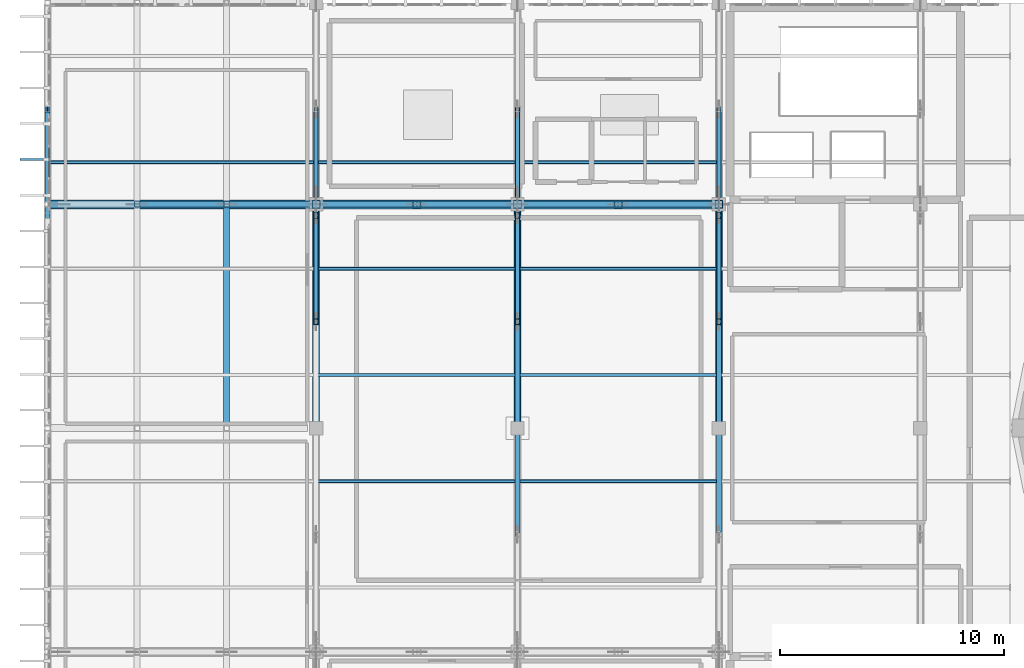
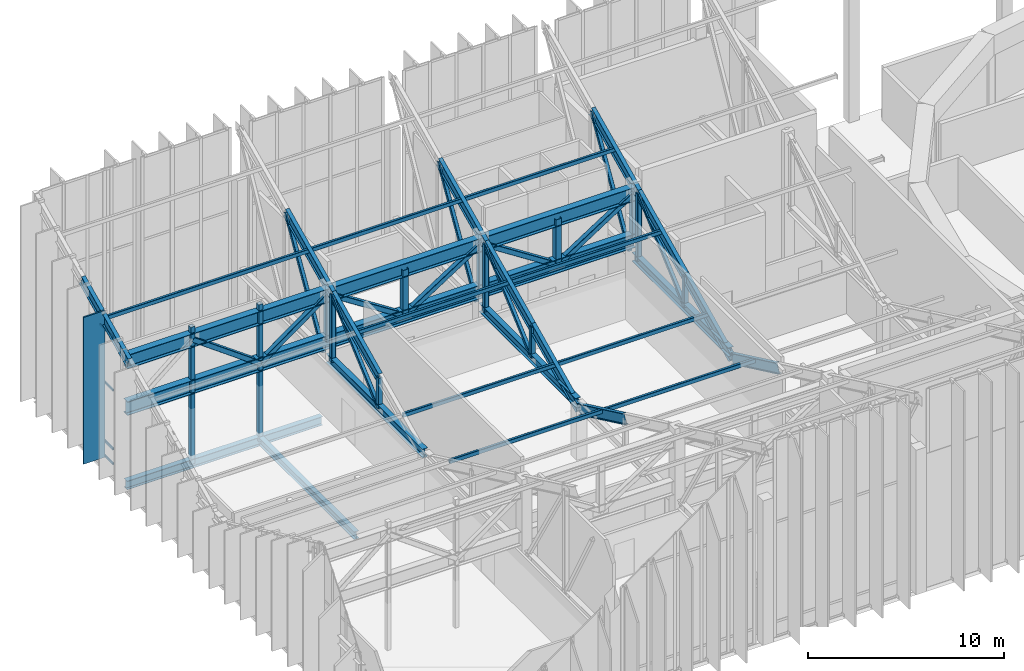
# One storey, part 22 of 68: 39 members, 18 beams, 1 element without a shape of its own.
"""IFC4 building model written with IfcOpenShell, lengths in metres."""

from ifc_helpers import new_model, si_unit, direction, frame, origin, origin_2d, place, context, subcontext, project, spatial, rectangle, hollow_rectangle, i_section, extrude, material, material_profile, profile_set, type_object, element, aggregate, save


model = new_model("IFC4")

# Units and contexts
model_context = context("Model", 3, precision=1e-05, world=origin(), true_north=direction((0.0, 1.0)))
body_context = subcontext(model_context, "Body", "Model", "MODEL_VIEW")
ifc_project = project(units=[si_unit("LENGTHUNIT", "METRE"), si_unit("AREAUNIT", "SQUARE_METRE"), si_unit("VOLUMEUNIT", "CUBIC_METRE"), si_unit("PLANEANGLEUNIT", "RADIAN"), si_unit("MASSUNIT", "GRAM", prefix="KILO")], contexts=[model_context])

# Site, building, storey
site_placement = place(None, origin())
site = spatial("IfcSite", under=ifc_project, at=site_placement, CompositionType="ELEMENT")
building_placement = place(site_placement, origin())
building = spatial("IfcBuilding", under=site, at=building_placement, Name="Miravela Opera House", CompositionType="ELEMENT")
storey_placement = place(building_placement, frame((0.0, 0.0, 21.760009765625)))
storey = spatial("IfcBuildingStorey", under=building, at=storey_placement, Name="L05", CompositionType="ELEMENT", Elevation=21.760009765625)

# Curtain wall, members
ifc_material_1 = material(Name="Anodised architectural bronze aluminium 6063-T6", Category="aluminium")
curtain_wall_type = type_object("IfcCurtainWallType", Name="ARC-CW-03", PredefinedType="NOTDEFINED", material=ifc_material_1)
curtain_wall_placement = place(storey_placement, origin())
curtain_wall = element("IfcCurtainWall", 1, at=curtain_wall_placement, inside=storey, type_object=curtain_wall_type, Name="Cantilever West Wrapper Glazing B7 CW-L05-053", PredefinedType="NOTDEFINED")
ifc_material_profile_1 = material_profile(ifc_material_1, hollow_rectangle(XDim=0.06494140625, YDim=0.139892578125, WallThickness=0.00390625, InnerFilletRadius=0.001953125, OuterFilletRadius=0.00390625, at=origin_2d()), Name="CWT-65X140")
ifc_profile_set_1 = profile_set([ifc_material_profile_1])
member_type_1 = type_object("IfcMemberType", Name="ARC-CWT-140", PredefinedType="USERDEFINED", material=ifc_profile_set_1)
member_1_placement = place(storey_placement, frame((15.080078125, 67.209228515625, 0.032470703125), z_axis=(0.0, 1.0, 0.0), x_axis=(-1.0, 0.0, 0.0)))
member_1 = element("IfcMember", 2, at=member_1_placement, type_object=member_type_1, Name="CW-03 transom 2.1", ObjectType="TRANSOM", PredefinedType="USERDEFINED", context=body_context, shape_type="SweptSolid", body=[
    extrude(hollow_rectangle(XDim=0.06494140625, YDim=0.139892578125, WallThickness=0.00390625, InnerFilletRadius=0.001953125, OuterFilletRadius=0.00390625, at=origin_2d()), origin(), (0.0, 0.0, 1.0), 1.33154296875),
])
member_2_placement = place(storey_placement, frame((15.080078125, 67.209228515625, 0.949951171875), z_axis=(0.0, 1.0, 0.0), x_axis=(-1.0, 0.0, 0.0)))
member_2 = element("IfcMember", 3, at=member_2_placement, type_object=member_type_1, Name="CW-03 transom 2.2", ObjectType="TRANSOM", PredefinedType="USERDEFINED", context=body_context, shape_type="SweptSolid", body=[
    extrude(hollow_rectangle(XDim=0.06494140625, YDim=0.139892578125, WallThickness=0.00390625, InnerFilletRadius=0.001953125, OuterFilletRadius=0.00390625, at=origin_2d()), origin(), (0.0, 0.0, 1.0), 1.33154296875),
])
member_3_placement = place(storey_placement, frame((15.080078125, 67.209228515625, 4.606689453125), z_axis=(0.0, 1.0, 0.0), x_axis=(-1.0, 0.0, 0.0)))
member_3 = element("IfcMember", 4, at=member_3_placement, type_object=member_type_1, Name="CW-03 transom 2.3", ObjectType="TRANSOM", PredefinedType="USERDEFINED", context=body_context, shape_type="SweptSolid", body=[
    extrude(hollow_rectangle(XDim=0.06494140625, YDim=0.139892578125, WallThickness=0.00390625, InnerFilletRadius=0.001953125, OuterFilletRadius=0.00390625, at=origin_2d()), origin(), (0.0, 0.0, 1.0), 1.33154296875),
])
member_4_placement = place(storey_placement, frame((15.080078125, 67.209228515625, 7.91015625), z_axis=(0.0, 1.0, 0.0), x_axis=(-1.0, 0.0, 0.0)))
member_4 = element("IfcMember", 5, at=member_4_placement, type_object=member_type_1, Name="CW-03 transom 2.4", ObjectType="TRANSOM", PredefinedType="USERDEFINED", context=body_context, shape_type="SweptSolid", body=[
    extrude(hollow_rectangle(XDim=0.06494140625, YDim=0.139892578125, WallThickness=0.00390625, InnerFilletRadius=0.001953125, OuterFilletRadius=0.00390625, at=origin_2d()), origin(), (0.0, 0.0, 1.0), 1.33154296875),
])
aggregate(curtain_wall, [member_1, member_2, member_3, member_4])

# Member
ifc_material_profile_2 = material_profile(ifc_material_1, rectangle(XDim=0.090087890625, YDim=1.25, at=origin_2d()), Name="FIN-1250X90")
ifc_profile_set_2 = profile_set([ifc_material_profile_2])
member_type_2 = type_object("IfcMemberType", Name="ARC-FIN-1250", PredefinedType="USERDEFINED", material=ifc_profile_set_2)
member_5_placement = place(storey_placement, frame((14.39501953125, 68.0, 0.0), z_axis=(0.0, 0.0, 1.0), x_axis=(0.0, 1.0, 0.0)))
element("IfcMember", 6, at=member_5_placement, inside=storey, type_object=member_type_2, Name="Auditorium Wrapper Bronze Solar Fin FIN-L05-WEST-0160", ObjectType="FIN", PredefinedType="USERDEFINED", context=body_context, shape_type="SweptSolid", body=[
    extrude(rectangle(XDim=0.090087890625, YDim=1.25, at=origin_2d()), origin(), (0.0, 0.0, 1.0), 9.13427734375),
])

# Beams
ifc_material_2 = material(Name="Structural steel ASTM A992 Gr. 50", Category="steel")
ifc_material_profile_3 = material_profile(ifc_material_2, i_section(OverallWidth=0.280029296875, OverallDepth=0.462890625, WebThickness=0.0107421875, FlangeThickness=0.017333984375, FilletRadius=0.014892578125, at=origin_2d()), Name="W460X113")
ifc_profile_set_3 = profile_set([ifc_material_profile_3])
beam_type_1 = type_object("IfcBeamType", Name="STR-BM-W460X113", PredefinedType="BEAM", material=ifc_profile_set_3)
beam_1_placement = place(storey_placement, frame((23.0, 56.14111328125, -0.471435546875), z_axis=(0.0, 1.0, 0.0), x_axis=(-1.0, 0.0, 0.0)))
element("IfcBeam", 7, at=beam_1_placement, inside=storey, type_object=beam_type_1, Name="Cantilever Overhang Beam L05 X=23", PredefinedType="BEAM", context=body_context, shape_type="SweptSolid", body=[
    extrude(i_section(OverallWidth=0.280029296875, OverallDepth=0.462890625, WebThickness=0.0107421875, FlangeThickness=0.017333984375, FilletRadius=0.014892578125, at=origin_2d()), origin(), (0.0, 0.0, 1.0), 9.7177734375),
])
ifc_material_profile_4 = material_profile(ifc_material_2, i_section(OverallWidth=0.31201171875, OverallDepth=0.54296875, WebThickness=0.0126953125, FlangeThickness=0.020263671875, FilletRadius=0.01611328125, at=origin_2d()), Name="W530X150")
ifc_profile_set_4 = profile_set([ifc_material_profile_4])
beam_type_2 = type_object("IfcBeamType", Name="STR-BM-W530X150", PredefinedType="BEAM", material=ifc_profile_set_4)
beam_2_placement = place(storey_placement, frame((15.110107421875, 66.0, -0.511474609375), z_axis=(1.0, 0.0, 0.0), x_axis=(0.0, 1.0, 0.0)))
element("IfcBeam", 8, at=beam_2_placement, inside=storey, type_object=beam_type_2, Name="Cantilever Chord L05 T4", PredefinedType="BEAM", context=body_context, shape_type="SweptSolid", body=[
    extrude(i_section(OverallWidth=0.31201171875, OverallDepth=0.54296875, WebThickness=0.0126953125, FlangeThickness=0.020263671875, FilletRadius=0.01611328125, at=origin_2d()), origin(), (0.0, 0.0, 1.0), 11.510009765625),
])
for number, where, z_axis, x_axis, name in (
    (9, (27.0, 56.080078125, 3.280029296875), (0.0, 1.0, 0.0), (-1.0, 0.0, 0.0), "V-Crest Roof Truss Bottom Tie Chord X=27 Seg 3"),
    (10, (36.0, 56.080078125, 3.280029296875), (0.0, 1.0, 0.0), (-1.0, 0.0, 0.0), "V-Crest Roof Truss Bottom Tie Chord X=36 Seg 3"),
    (11, (45.0, 56.080078125, 3.280029296875), (0.0, 1.0, 0.0), (-1.0, 0.0, 0.0), "V-Crest Roof Truss Bottom Tie Chord X=45 Seg 3"),
):
    element("IfcBeam", number, at=place(storey_placement, frame(where, z_axis=z_axis, x_axis=x_axis)), inside=storey, type_object=beam_type_2, Name=name, PredefinedType="BEAM", context=body_context, shape_type="SweptSolid", body=[
        extrude(i_section(OverallWidth=0.31201171875, OverallDepth=0.54296875, WebThickness=0.0126953125, FlangeThickness=0.020263671875, FilletRadius=0.01611328125, at=origin_2d()), origin(), (0.0, 0.0, 1.0), 9.83984375),
    ])
ifc_material_profile_5 = material_profile(ifc_material_2, i_section(OverallWidth=0.22998046875, OverallDepth=0.616943359375, WebThickness=0.01318359375, FlangeThickness=0.022216796875, FilletRadius=0.01806640625, at=origin_2d()), Name="W610X140")
ifc_profile_set_5 = profile_set([ifc_material_profile_5])
beam_type_3 = type_object("IfcBeamType", Name="STR-BM-W610X140", PredefinedType="BEAM", material=ifc_profile_set_5)
for number, where, z_axis, x_axis, name in (
    (12, (15.0, 65.5, 7.439453125), (0.0, 0.903737838894, 0.428086344739), (-1.0, 0.0, 0.0), "V-Crest Roof Rafter Girder X=15 Seg 7"),
    (13, (27.0, 60.75, 5.189453125), (0.0, 0.903737838894, 0.428086344739), (-1.0, 0.0, 0.0), "V-Crest Roof Rafter Girder X=27 Seg 6"),
    (14, (27.0, 65.5, 7.439453125), (0.0, 0.903737838894, 0.428086344739), (-1.0, 0.0, 0.0), "V-Crest Roof Rafter Girder X=27 Seg 7"),
    (15, (36.0, 51.25, 5.189453125), (0.0, 0.903737838894, -0.428086344739), (-1.0, 0.0, 0.0), "V-Crest Roof Rafter Girder X=36 Seg 4"),
    (16, (36.0, 56.0, 2.939453125), (0.0, 0.903737838894, 0.428086344739), (-1.0, 0.0, 0.0), "V-Crest Roof Rafter Girder X=36 Seg 5"),
    (17, (36.0, 60.75, 5.189453125), (0.0, 0.903737838894, 0.428086344739), (-1.0, 0.0, 0.0), "V-Crest Roof Rafter Girder X=36 Seg 6"),
    (18, (36.0, 65.5, 7.439453125), (0.0, 0.903737838894, 0.428086344739), (-1.0, 0.0, 0.0), "V-Crest Roof Rafter Girder X=36 Seg 7"),
    (19, (45.0, 51.25, 5.189453125), (0.0, 0.903737838894, -0.428086344739), (-1.0, 0.0, 0.0), "V-Crest Roof Rafter Girder X=45 Seg 4"),
    (20, (45.0, 56.0, 2.939453125), (0.0, 0.903737838894, 0.428086344739), (-1.0, 0.0, 0.0), "V-Crest Roof Rafter Girder X=45 Seg 5"),
    (21, (45.0, 60.75, 5.189453125), (0.0, 0.903737838894, 0.428086344739), (-1.0, 0.0, 0.0), "V-Crest Roof Rafter Girder X=45 Seg 6"),
    (22, (45.0, 65.5, 7.439453125), (0.0, 0.903737838894, 0.428086344739), (-1.0, 0.0, 0.0), "V-Crest Roof Rafter Girder X=45 Seg 7"),
):
    element("IfcBeam", number, at=place(storey_placement, frame(where, z_axis=z_axis, x_axis=x_axis)), inside=storey, type_object=beam_type_3, Name=name, PredefinedType="BEAM", context=body_context, shape_type="SweptSolid", body=[
        extrude(i_section(OverallWidth=0.22998046875, OverallDepth=0.616943359375, WebThickness=0.01318359375, FlangeThickness=0.022216796875, FilletRadius=0.01806640625, at=origin_2d()), origin(), (0.0, 0.0, 1.0), 5.255859375),
    ])
ifc_material_profile_6 = material_profile(ifc_material_2, i_section(OverallWidth=0.39990234375, OverallDepth=0.85498046875, WebThickness=0.018310546875, FlangeThickness=0.029296875, FilletRadius=0.02392578125, at=origin_2d()), Name="W840X299")
ifc_profile_set_6 = profile_set([ifc_material_profile_6])
beam_type_4 = type_object("IfcBeamType", Name="STR-BM-W840X299", PredefinedType="BEAM", material=ifc_profile_set_6)
for number, where, z_axis, x_axis, name in (
    (23, (45.0, 66.0, 4.2900390625), (-1.0, 0.0, 0.0), (0.0, -1.0, 0.0), "Cantilever Truss CT-04 Attic Bottom Chord"),
    (24, (45.0, 66.0, 7.18994140625), (-1.0, 0.0, 0.0), (0.0, -1.0, 0.0), "Cantilever Truss CT-04 Attic Top Chord"),
):
    element("IfcBeam", number, at=place(storey_placement, frame(where, z_axis=z_axis, x_axis=x_axis)), inside=storey, type_object=beam_type_4, Name=name, PredefinedType="BEAM", context=body_context, shape_type="SweptSolid", body=[
        extrude(i_section(OverallWidth=0.39990234375, OverallDepth=0.85498046875, WebThickness=0.018310546875, FlangeThickness=0.029296875, FilletRadius=0.02392578125, at=origin_2d()), origin(), (0.0, 0.0, 1.0), 29.889892578125),
    ])

# Members
ifc_material_3 = material(Name="Hollow structural steel ASTM A500 Gr. C", Category="steel")
ifc_material_profile_7 = material_profile(ifc_material_3, hollow_rectangle(XDim=0.300048828125, YDim=0.300048828125, WallThickness=0.01611328125, InnerFilletRadius=0.01611328125, OuterFilletRadius=0.031982421875, at=origin_2d()), Name="HSS300X300X16")
ifc_profile_set_7 = profile_set([ifc_material_profile_7])
member_type_3 = type_object("IfcMemberType", Name="STR-MEM-CANT-DIAG", PredefinedType="BRACE", material=ifc_profile_set_7)
for number, where, z_axis, x_axis, name in (
    (25, (19.0, 66.0, 7.18994140625), (0.809619836444, 0.0, -0.586954615312), (0.0, 1.0, 0.0), "Cantilever Truss CT-04 Attic Web Diagonal 2"),
    (26, (23.0, 66.0, 4.2900390625), (0.809619836444, 0.0, 0.586954615312), (0.0, 1.0, 0.0), "Cantilever Truss CT-04 Attic Web Diagonal 3"),
):
    element("IfcMember", number, at=place(storey_placement, frame(where, z_axis=z_axis, x_axis=x_axis)), inside=storey, type_object=member_type_3, Name=name, PredefinedType="BRACE", context=body_context, shape_type="SweptSolid", body=[
        extrude(hollow_rectangle(XDim=0.300048828125, YDim=0.300048828125, WallThickness=0.01611328125, InnerFilletRadius=0.01611328125, OuterFilletRadius=0.031982421875, at=origin_2d()), origin(), (0.0, 0.0, 1.0), 4.940673828125),
    ])
for number, where, z_axis, x_axis, name in (
    (27, (27.0, 66.0, 7.18994140625), (0.84057934116, 0.0, -0.541688444786), (0.0, 1.0, 0.0), "Cantilever Truss CT-04 Attic Web Diagonal 4"),
    (28, (31.5, 66.0, 4.2900390625), (0.84057934116, 0.0, 0.541688444786), (0.0, 1.0, 0.0), "Cantilever Truss CT-04 Attic Web Diagonal 5"),
    (29, (36.0, 66.0, 7.18994140625), (0.84057934116, 0.0, -0.541688444786), (0.0, 1.0, 0.0), "Cantilever Truss CT-04 Attic Web Diagonal 6"),
    (30, (40.5, 66.0, 4.2900390625), (0.84057934116, 0.0, 0.541688444786), (0.0, 1.0, 0.0), "Cantilever Truss CT-04 Attic Web Diagonal 7"),
):
    element("IfcMember", number, at=place(storey_placement, frame(where, z_axis=z_axis, x_axis=x_axis)), inside=storey, type_object=member_type_3, Name=name, PredefinedType="BRACE", context=body_context, shape_type="SweptSolid", body=[
        extrude(hollow_rectangle(XDim=0.300048828125, YDim=0.300048828125, WallThickness=0.01611328125, InnerFilletRadius=0.01611328125, OuterFilletRadius=0.031982421875, at=origin_2d()), origin(), (0.0, 0.0, 1.0), 5.353515625),
    ])
ifc_material_profile_8 = material_profile(ifc_material_3, hollow_rectangle(XDim=0.35009765625, YDim=0.35009765625, WallThickness=0.01611328125, InnerFilletRadius=0.01611328125, OuterFilletRadius=0.031982421875, at=origin_2d()), Name="HSS350X350X16")
ifc_profile_set_8 = profile_set([ifc_material_profile_8])
member_type_4 = type_object("IfcMemberType", Name="STR-MEM-CANT-POST", PredefinedType="POST", material=ifc_profile_set_8)
for number, where, z_axis, x_axis, name in (
    (31, (27.0, 66.0, 4.2900390625), (0.0, 0.0, 1.0), (1.0, 0.0, 0.0), "Cantilever Truss CT-04 Attic Post X=27.0"),
    (32, (31.5, 66.0, 4.2900390625), (0.0, 0.0, 1.0), (1.0, 0.0, 0.0), "Cantilever Truss CT-04 Attic Post X=31.5"),
    (33, (36.0, 66.0, 4.2900390625), (0.0, 0.0, 1.0), (1.0, 0.0, 0.0), "Cantilever Truss CT-04 Attic Post X=36.0"),
    (34, (40.5, 66.0, 4.2900390625), (0.0, 0.0, 1.0), (1.0, 0.0, 0.0), "Cantilever Truss CT-04 Attic Post X=40.5"),
    (35, (45.0, 66.0, 4.2900390625), (0.0, 0.0, 1.0), (1.0, 0.0, 0.0), "Cantilever Truss CT-04 Attic Post X=45.0"),
):
    element("IfcMember", number, at=place(storey_placement, frame(where, z_axis=z_axis, x_axis=x_axis)), inside=storey, type_object=member_type_4, Name=name, PredefinedType="POST", context=body_context, shape_type="SweptSolid", body=[
        extrude(hollow_rectangle(XDim=0.35009765625, YDim=0.35009765625, WallThickness=0.01611328125, InnerFilletRadius=0.01611328125, OuterFilletRadius=0.031982421875, at=origin_2d()), origin(), (0.0, 0.0, 1.0), 2.89990234375),
    ])
ifc_material_profile_9 = material_profile(ifc_material_3, hollow_rectangle(XDim=0.25, YDim=0.25, WallThickness=0.011962890625, InnerFilletRadius=0.011962890625, OuterFilletRadius=0.02392578125, at=origin_2d()), Name="HSS250X250X12")
ifc_profile_set_9 = profile_set([ifc_material_profile_9])
member_type_5 = type_object("IfcMemberType", Name="STR-MEM-CANT-POST2", PredefinedType="POST", material=ifc_profile_set_9)
for number, where, z_axis, x_axis, name in (
    (36, (19.0, 66.0, -0.5400390625), (0.0, 0.0, 1.0), (1.0, 0.0, 0.0), "Upper Wrapper Truss Post L05 X=19.0"),
    (37, (23.0, 66.0, -0.5400390625), (0.0, 0.0, 1.0), (1.0, 0.0, 0.0), "Upper Wrapper Truss Post L05 X=23.0"),
):
    element("IfcMember", number, at=place(storey_placement, frame(where, z_axis=z_axis, x_axis=x_axis)), inside=storey, type_object=member_type_5, Name=name, PredefinedType="POST", context=body_context, shape_type="SweptSolid", body=[
        extrude(hollow_rectangle(XDim=0.25, YDim=0.25, WallThickness=0.011962890625, InnerFilletRadius=0.011962890625, OuterFilletRadius=0.02392578125, at=origin_2d()), origin(), (0.0, 0.0, 1.0), 8.52685546875),
    ])
member_6_placement = place(storey_placement, frame((27.0, 60.75, 3.280029296875), z_axis=(0.0, 0.0, 1.0), x_axis=(1.0, 0.0, 0.0)))
element("IfcMember", 38, at=member_6_placement, inside=storey, type_object=member_type_5, Name="V-Crest Roof Truss Panel Post X=27 Node 5", PredefinedType="POST", context=body_context, shape_type="SweptSolid", body=[
    extrude(hollow_rectangle(XDim=0.25, YDim=0.25, WallThickness=0.011962890625, InnerFilletRadius=0.011962890625, OuterFilletRadius=0.02392578125, at=origin_2d()), origin(), (0.0, 0.0, 1.0), 1.909912109375),
])
member_7_placement = place(storey_placement, frame((27.0, 65.5, 3.280029296875), z_axis=(0.0, 0.0, 1.0), x_axis=(1.0, 0.0, 0.0)))
element("IfcMember", 39, at=member_7_placement, inside=storey, type_object=member_type_5, Name="V-Crest Roof Truss Panel Post X=27 Node 6", PredefinedType="POST", context=body_context, shape_type="SweptSolid", body=[
    extrude(hollow_rectangle(XDim=0.25, YDim=0.25, WallThickness=0.011962890625, InnerFilletRadius=0.011962890625, OuterFilletRadius=0.02392578125, at=origin_2d()), origin(), (0.0, 0.0, 1.0), 4.159912109375),
])
member_8_placement = place(storey_placement, frame((36.0, 60.75, 3.280029296875), z_axis=(0.0, 0.0, 1.0), x_axis=(1.0, 0.0, 0.0)))
element("IfcMember", 40, at=member_8_placement, inside=storey, type_object=member_type_5, Name="V-Crest Roof Truss Panel Post X=36 Node 5", PredefinedType="POST", context=body_context, shape_type="SweptSolid", body=[
    extrude(hollow_rectangle(XDim=0.25, YDim=0.25, WallThickness=0.011962890625, InnerFilletRadius=0.011962890625, OuterFilletRadius=0.02392578125, at=origin_2d()), origin(), (0.0, 0.0, 1.0), 1.909912109375),
])
member_9_placement = place(storey_placement, frame((36.0, 65.5, 3.280029296875), z_axis=(0.0, 0.0, 1.0), x_axis=(1.0, 0.0, 0.0)))
element("IfcMember", 41, at=member_9_placement, inside=storey, type_object=member_type_5, Name="V-Crest Roof Truss Panel Post X=36 Node 6", PredefinedType="POST", context=body_context, shape_type="SweptSolid", body=[
    extrude(hollow_rectangle(XDim=0.25, YDim=0.25, WallThickness=0.011962890625, InnerFilletRadius=0.011962890625, OuterFilletRadius=0.02392578125, at=origin_2d()), origin(), (0.0, 0.0, 1.0), 4.159912109375),
])
member_10_placement = place(storey_placement, frame((45.0, 60.75, 3.280029296875), z_axis=(0.0, 0.0, 1.0), x_axis=(1.0, 0.0, 0.0)))
element("IfcMember", 42, at=member_10_placement, inside=storey, type_object=member_type_5, Name="V-Crest Roof Truss Panel Post X=45 Node 5", PredefinedType="POST", context=body_context, shape_type="SweptSolid", body=[
    extrude(hollow_rectangle(XDim=0.25, YDim=0.25, WallThickness=0.011962890625, InnerFilletRadius=0.011962890625, OuterFilletRadius=0.02392578125, at=origin_2d()), origin(), (0.0, 0.0, 1.0), 1.909912109375),
])
member_11_placement = place(storey_placement, frame((45.0, 65.5, 3.280029296875), z_axis=(0.0, 0.0, 1.0), x_axis=(1.0, 0.0, 0.0)))
element("IfcMember", 43, at=member_11_placement, inside=storey, type_object=member_type_5, Name="V-Crest Roof Truss Panel Post X=45 Node 6", PredefinedType="POST", context=body_context, shape_type="SweptSolid", body=[
    extrude(hollow_rectangle(XDim=0.25, YDim=0.25, WallThickness=0.011962890625, InnerFilletRadius=0.011962890625, OuterFilletRadius=0.02392578125, at=origin_2d()), origin(), (0.0, 0.0, 1.0), 4.159912109375),
])
ifc_material_profile_10 = material_profile(ifc_material_3, hollow_rectangle(XDim=0.14990234375, YDim=0.25, WallThickness=0.011962890625, InnerFilletRadius=0.011962890625, OuterFilletRadius=0.02392578125, at=origin_2d()), Name="HSS250X150X12")
ifc_profile_set_10 = profile_set([ifc_material_profile_10])
member_type_6 = type_object("IfcMemberType", Name="STR-MEM-PURLIN-1", PredefinedType="PURLIN", material=ifc_profile_set_10)
for number, where, z_axis, x_axis, name in (
    (44, (27.010009765625, 53.625, 4.244873046875), (1.0, 0.0, 0.0), (0.0, 1.0, 0.0), "V-Roof Steel Purlin B4.2"),
    (45, (36.010009765625, 53.625, 4.244873046875), (1.0, 0.0, 0.0), (0.0, 1.0, 0.0), "V-Roof Steel Purlin B4.3"),
    (46, (27.010009765625, 58.375, 4.244873046875), (1.0, 0.0, 0.0), (0.0, 1.0, 0.0), "V-Roof Steel Purlin B5.2"),
    (47, (36.010009765625, 58.375, 4.244873046875), (1.0, 0.0, 0.0), (0.0, 1.0, 0.0), "V-Roof Steel Purlin B5.3"),
    (48, (27.010009765625, 63.125, 6.494873046875), (1.0, 0.0, 0.0), (0.0, 1.0, 0.0), "V-Roof Steel Purlin B6.2"),
    (49, (36.010009765625, 63.125, 6.494873046875), (1.0, 0.0, 0.0), (0.0, 1.0, 0.0), "V-Roof Steel Purlin B6.3"),
):
    element("IfcMember", number, at=place(storey_placement, frame(where, z_axis=z_axis, x_axis=x_axis)), inside=storey, type_object=member_type_6, Name=name, PredefinedType="PURLIN", context=body_context, shape_type="SweptSolid", body=[
        extrude(hollow_rectangle(XDim=0.14990234375, YDim=0.25, WallThickness=0.011962890625, InnerFilletRadius=0.011962890625, OuterFilletRadius=0.02392578125, at=origin_2d()), origin(), (0.0, 0.0, 1.0), 8.97998046875),
    ])
member_12_placement = place(storey_placement, frame((15.010009765625, 67.875, 8.744873046875), z_axis=(1.0, 0.0, 0.0), x_axis=(0.0, 1.0, 0.0)))
element("IfcMember", 50, at=member_12_placement, inside=storey, type_object=member_type_6, Name="V-Roof Steel Purlin B7.1", PredefinedType="PURLIN", context=body_context, shape_type="SweptSolid", body=[
    extrude(hollow_rectangle(XDim=0.14990234375, YDim=0.25, WallThickness=0.011962890625, InnerFilletRadius=0.011962890625, OuterFilletRadius=0.02392578125, at=origin_2d()), origin(), (0.0, 0.0, 1.0), 11.97998046875),
])
for number, where, z_axis, x_axis, name in (
    (51, (27.010009765625, 67.875, 8.744873046875), (1.0, 0.0, 0.0), (0.0, 1.0, 0.0), "V-Roof Steel Purlin B7.2"),
    (52, (36.010009765625, 67.875, 8.744873046875), (1.0, 0.0, 0.0), (0.0, 1.0, 0.0), "V-Roof Steel Purlin B7.3"),
):
    element("IfcMember", number, at=place(storey_placement, frame(where, z_axis=z_axis, x_axis=x_axis)), inside=storey, type_object=member_type_6, Name=name, PredefinedType="PURLIN", context=body_context, shape_type="SweptSolid", body=[
        extrude(hollow_rectangle(XDim=0.14990234375, YDim=0.25, WallThickness=0.011962890625, InnerFilletRadius=0.011962890625, OuterFilletRadius=0.02392578125, at=origin_2d()), origin(), (0.0, 0.0, 1.0), 8.97998046875),
    ])
ifc_material_profile_11 = material_profile(ifc_material_3, hollow_rectangle(XDim=0.199951171875, YDim=0.199951171875, WallThickness=0.010009765625, InnerFilletRadius=0.010009765625, OuterFilletRadius=0.02001953125, at=origin_2d()), Name="HSS200X200X10")
ifc_profile_set_11 = profile_set([ifc_material_profile_11])
member_type_7 = type_object("IfcMemberType", Name="STR-MEM-WEDGE-WEB", PredefinedType="BRACE", material=ifc_profile_set_11)
member_13_placement = place(storey_placement, frame((27.0, 60.75, 3.280029296875), z_axis=(0.0, 0.752289193007, 0.658833036577), x_axis=(-1.0, 0.0, 0.0)))
element("IfcMember", 53, at=member_13_placement, inside=storey, type_object=member_type_7, Name="V-Crest Roof Truss Web Diagonal X=27 Bay 6", PredefinedType="BRACE", context=body_context, shape_type="SweptSolid", body=[
    extrude(hollow_rectangle(XDim=0.199951171875, YDim=0.199951171875, WallThickness=0.010009765625, InnerFilletRadius=0.010009765625, OuterFilletRadius=0.02001953125, at=origin_2d()), origin(), (0.0, 0.0, 1.0), 6.31396484375),
])
member_14_placement = place(storey_placement, frame((27.0, 66.39990234375, 3.280029296875), z_axis=(0.0, 0.514903832718, 0.857247947243), x_axis=(-1.0, 0.0, 0.0)))
element("IfcMember", 54, at=member_14_placement, inside=storey, type_object=member_type_7, Name="V-Crest Roof Truss Web Diagonal X=27 Bay 7", PredefinedType="BRACE", context=body_context, shape_type="SweptSolid", body=[
    extrude(hollow_rectangle(XDim=0.199951171875, YDim=0.199951171875, WallThickness=0.010009765625, InnerFilletRadius=0.010009765625, OuterFilletRadius=0.02001953125, at=origin_2d()), origin(), (0.0, 0.0, 1.0), 7.477294921875),
])
member_15_placement = place(storey_placement, frame((36.0, 60.75, 3.280029296875), z_axis=(0.0, 0.752289193007, 0.658833036577), x_axis=(-1.0, 0.0, 0.0)))
element("IfcMember", 55, at=member_15_placement, inside=storey, type_object=member_type_7, Name="V-Crest Roof Truss Web Diagonal X=36 Bay 6", PredefinedType="BRACE", context=body_context, shape_type="SweptSolid", body=[
    extrude(hollow_rectangle(XDim=0.199951171875, YDim=0.199951171875, WallThickness=0.010009765625, InnerFilletRadius=0.010009765625, OuterFilletRadius=0.02001953125, at=origin_2d()), origin(), (0.0, 0.0, 1.0), 6.31396484375),
])
member_16_placement = place(storey_placement, frame((36.0, 66.39990234375, 3.280029296875), z_axis=(0.0, 0.514903832718, 0.857247947243), x_axis=(-1.0, 0.0, 0.0)))
element("IfcMember", 56, at=member_16_placement, inside=storey, type_object=member_type_7, Name="V-Crest Roof Truss Web Diagonal X=36 Bay 7", PredefinedType="BRACE", context=body_context, shape_type="SweptSolid", body=[
    extrude(hollow_rectangle(XDim=0.199951171875, YDim=0.199951171875, WallThickness=0.010009765625, InnerFilletRadius=0.010009765625, OuterFilletRadius=0.02001953125, at=origin_2d()), origin(), (0.0, 0.0, 1.0), 7.477294921875),
])
member_17_placement = place(storey_placement, frame((45.0, 60.75, 3.280029296875), z_axis=(0.0, 0.752289193007, 0.658833036577), x_axis=(-1.0, 0.0, 0.0)))
element("IfcMember", 57, at=member_17_placement, inside=storey, type_object=member_type_7, Name="V-Crest Roof Truss Web Diagonal X=45 Bay 6", PredefinedType="BRACE", context=body_context, shape_type="SweptSolid", body=[
    extrude(hollow_rectangle(XDim=0.199951171875, YDim=0.199951171875, WallThickness=0.010009765625, InnerFilletRadius=0.010009765625, OuterFilletRadius=0.02001953125, at=origin_2d()), origin(), (0.0, 0.0, 1.0), 6.31396484375),
])
member_18_placement = place(storey_placement, frame((45.0, 66.39990234375, 3.280029296875), z_axis=(0.0, 0.514903832718, 0.857247947243), x_axis=(-1.0, 0.0, 0.0)))
element("IfcMember", 58, at=member_18_placement, inside=storey, type_object=member_type_7, Name="V-Crest Roof Truss Web Diagonal X=45 Bay 7", PredefinedType="BRACE", context=body_context, shape_type="SweptSolid", body=[
    extrude(hollow_rectangle(XDim=0.199951171875, YDim=0.199951171875, WallThickness=0.010009765625, InnerFilletRadius=0.010009765625, OuterFilletRadius=0.02001953125, at=origin_2d()), origin(), (0.0, 0.0, 1.0), 7.477294921875),
])

save(model, "model.ifc")
